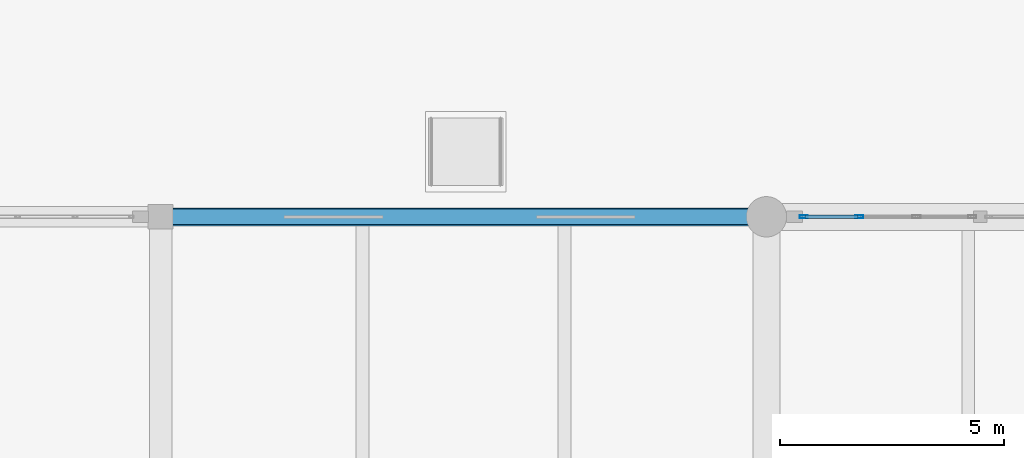
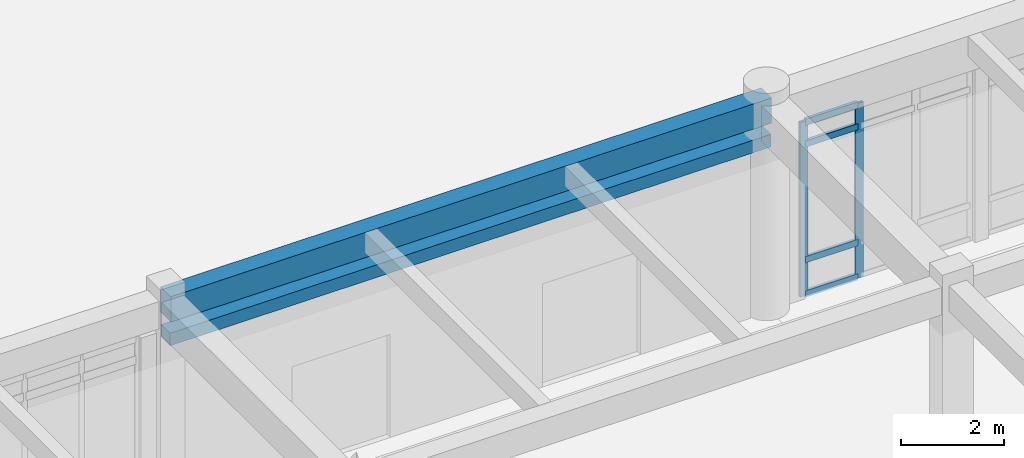
# One storey, part 22 of 138: 6 members, 2 beams, 1 element without a shape of its own.
"""IFC4 building model written with IfcOpenShell, lengths in metres."""

from ifc_helpers import new_model, si_unit, direction, frame, origin, origin_2d, place, context, subcontext, project, spatial, rectangle, hollow_rectangle, extrude, material, layer, layer_set, material_profile, profile_set, type_object, element, aggregate, save


model = new_model("IFC4")

# Units and contexts
model_context = context("Model", 3, precision=1e-05, world=origin(), true_north=direction((0.0, 1.0)))
body_context = subcontext(model_context, "Body", "Model", "MODEL_VIEW")
ifc_project = project(units=[si_unit("LENGTHUNIT", "METRE"), si_unit("AREAUNIT", "SQUARE_METRE"), si_unit("VOLUMEUNIT", "CUBIC_METRE"), si_unit("PLANEANGLEUNIT", "RADIAN"), si_unit("MASSUNIT", "GRAM", prefix="KILO")], contexts=[model_context])

# Site, building, storey
site_placement = place(None, origin())
site = spatial("IfcSite", under=ifc_project, at=site_placement, CompositionType="ELEMENT")
building_placement = place(site_placement, origin())
building = spatial("IfcBuilding", under=site, at=building_placement, Name="Fikremerkos Civic Library", CompositionType="ELEMENT")
storey_placement = place(building_placement, origin())
storey = spatial("IfcBuildingStorey", under=building, at=storey_placement, Name="L00", CompositionType="ELEMENT", Elevation=0.0)

# Curtain wall, members
ifc_material_1 = material(Name="Anodized aluminium Frame", Category="aluminium")
ifc_layer = layer(ifc_material_1, 0.159912109375, Name="Anodized aluminium Frame")
ifc_layer_set = layer_set([ifc_layer], Name="Anodized aluminium Frame")
curtain_wall_type = type_object("IfcCurtainWallType", Name="Unitised curtain wall CW-17 4600x3600", PredefinedType="USERDEFINED", material=ifc_layer_set)
curtain_wall_placement = place(storey_placement, origin())
curtain_wall = element("IfcCurtainWall", 1, at=curtain_wall_placement, inside=storey, type_object=curtain_wall_type, Name="Unitised curtain wall CW-17 L00 #17", ObjectType="UNITISED CURTAIN WALL", PredefinedType="USERDEFINED")
ifc_material_profile_1 = material_profile(ifc_material_1, hollow_rectangle(XDim=0.06494140625, YDim=0.179931640625, WallThickness=0.00439453125, at=origin_2d()), Name="ALU 180x65x4.5")
ifc_profile_set_1 = profile_set([ifc_material_profile_1], Name="Anodized aluminium Frame")
member_type_1 = type_object("IfcMemberType", Name="Curtain mullion CWM-01 ALU 180x65x4.5", PredefinedType="MULLION", material=ifc_profile_set_1)
member_1_placement = place(storey_placement, frame((87.530517578125, 48.0, 0.0), z_axis=(0.0, 0.0, 1.0), x_axis=(0.0, 1.0, 0.0)))
member_1 = element("IfcMember", 2, at=member_1_placement, type_object=member_type_1, Name="CW-17 mullion 1", PredefinedType="MULLION", context=body_context, shape_type="SweptSolid", body=[
    extrude(hollow_rectangle(XDim=0.06494140625, YDim=0.179931640625, WallThickness=0.00439453125, at=origin_2d()), origin(), (0.0, 0.0, 1.0), 4.14990234375),
])
member_2_placement = place(storey_placement, frame((88.770751953125, 48.0, 0.0), z_axis=(0.0, 0.0, 1.0), x_axis=(0.0, 1.0, 0.0)))
member_2 = element("IfcMember", 3, at=member_2_placement, type_object=member_type_1, Name="CW-17 mullion 2", PredefinedType="MULLION", context=body_context, shape_type="SweptSolid", body=[
    extrude(hollow_rectangle(XDim=0.06494140625, YDim=0.179931640625, WallThickness=0.00439453125, at=origin_2d()), origin(), (0.0, 0.0, 1.0), 4.14990234375),
])
ifc_material_profile_2 = material_profile(ifc_material_1, hollow_rectangle(XDim=0.070068359375, YDim=0.14990234375, WallThickness=0.00439453125, at=origin_2d()), Name="ALU 150x70x4.5")
ifc_profile_set_2 = profile_set([ifc_material_profile_2], Name="Anodized aluminium Frame")
member_type_2 = type_object("IfcMemberType", Name="Curtain transom CWT-01 ALU 150x70x4.5", PredefinedType="USERDEFINED", material=ifc_profile_set_2)
member_3_placement = place(storey_placement, frame((87.56298828125, 48.0, 0.034912109375), z_axis=(1.0, 0.0, 0.0), x_axis=(0.0, 1.0, 0.0)))
member_3 = element("IfcMember", 4, at=member_3_placement, type_object=member_type_2, Name="CW-17 transom 1.1", ObjectType="TRANSOM", PredefinedType="USERDEFINED", context=body_context, shape_type="SweptSolid", body=[
    extrude(hollow_rectangle(XDim=0.070068359375, YDim=0.14990234375, WallThickness=0.00439453125, at=origin_2d()), origin(), (0.0, 0.0, 1.0), 1.17529296875),
])
member_4_placement = place(storey_placement, frame((87.56298828125, 48.0, 0.85009765625), z_axis=(1.0, 0.0, 0.0), x_axis=(0.0, 1.0, 0.0)))
member_4 = element("IfcMember", 5, at=member_4_placement, type_object=member_type_2, Name="CW-17 transom 1.2", ObjectType="TRANSOM", PredefinedType="USERDEFINED", context=body_context, shape_type="SweptSolid", body=[
    extrude(hollow_rectangle(XDim=0.070068359375, YDim=0.14990234375, WallThickness=0.00439453125, at=origin_2d()), origin(), (0.0, 0.0, 1.0), 1.17529296875),
])
member_5_placement = place(storey_placement, frame((87.56298828125, 48.0, 3.60009765625), z_axis=(1.0, 0.0, 0.0), x_axis=(0.0, 1.0, 0.0)))
member_5 = element("IfcMember", 6, at=member_5_placement, type_object=member_type_2, Name="CW-17 transom 1.3", ObjectType="TRANSOM", PredefinedType="USERDEFINED", context=body_context, shape_type="SweptSolid", body=[
    extrude(hollow_rectangle(XDim=0.070068359375, YDim=0.14990234375, WallThickness=0.00439453125, at=origin_2d()), origin(), (0.0, 0.0, 1.0), 1.17529296875),
])
member_6_placement = place(storey_placement, frame((87.56298828125, 48.0, 4.114990234375), z_axis=(1.0, 0.0, 0.0), x_axis=(0.0, 1.0, 0.0)))
member_6 = element("IfcMember", 7, at=member_6_placement, type_object=member_type_2, Name="CW-17 transom 1.4", ObjectType="TRANSOM", PredefinedType="USERDEFINED", context=body_context, shape_type="SweptSolid", body=[
    extrude(hollow_rectangle(XDim=0.070068359375, YDim=0.14990234375, WallThickness=0.00439453125, at=origin_2d()), origin(), (0.0, 0.0, 1.0), 1.17529296875),
])
aggregate(curtain_wall, [member_1, member_2, member_3, member_4, member_5, member_6])

# Beams
ifc_material_2 = material(Name="Concrete C40/50", Category="concrete")
ifc_material_profile_3 = material_profile(ifc_material_2, rectangle(XDim=0.35009765625, YDim=0.300048828125, at=origin_2d()), Name="RC 350x300")
ifc_profile_set_3 = profile_set([ifc_material_profile_3], Name="Concrete C40/50")
beam_type_1 = type_object("IfcBeamType", Name="Opening lintel LNT-01 RC 350x300", PredefinedType="LINTEL", material=ifc_profile_set_3)
beam_1_placement = place(storey_placement, frame((73.199951171875, 48.0, 4.070068359375), z_axis=(1.0, 0.0, 0.0), x_axis=(0.0, 1.0, 0.0)))
element("IfcBeam", 8, at=beam_1_placement, inside=storey, type_object=beam_type_1, Name="Exterior doorway head lintel LNT-01 #222", PredefinedType="LINTEL", context=body_context, shape_type="SweptSolid", body=[
    extrude(rectangle(XDim=0.35009765625, YDim=0.300048828125, at=origin_2d()), origin(), (0.0, 0.0, 1.0), 13.5),
])
ifc_material_profile_4 = material_profile(ifc_material_2, rectangle(XDim=0.39990234375, YDim=0.60009765625, at=origin_2d()), Name="RC 400x600")
ifc_profile_set_4 = profile_set([ifc_material_profile_4], Name="Concrete C40/50")
beam_type_2 = type_object("IfcBeamType", Name="Primary girder BM-08 RC 400x600", PredefinedType="BEAM", material=ifc_profile_set_4)
beam_2_placement = place(storey_placement, frame((73.199951171875, 48.0, 4.800048828125), z_axis=(1.0, 0.0, 0.0), x_axis=(0.0, 1.0, 0.0)))
element("IfcBeam", 9, at=beam_2_placement, inside=storey, type_object=beam_type_2, Name="Primary girder BM-08 L00 grid J", PredefinedType="BEAM", context=body_context, shape_type="SweptSolid", body=[
    extrude(rectangle(XDim=0.39990234375, YDim=0.60009765625, at=origin_2d()), origin(), (0.0, 0.0, 1.0), 13.5),
])

save(model, "model.ifc")
